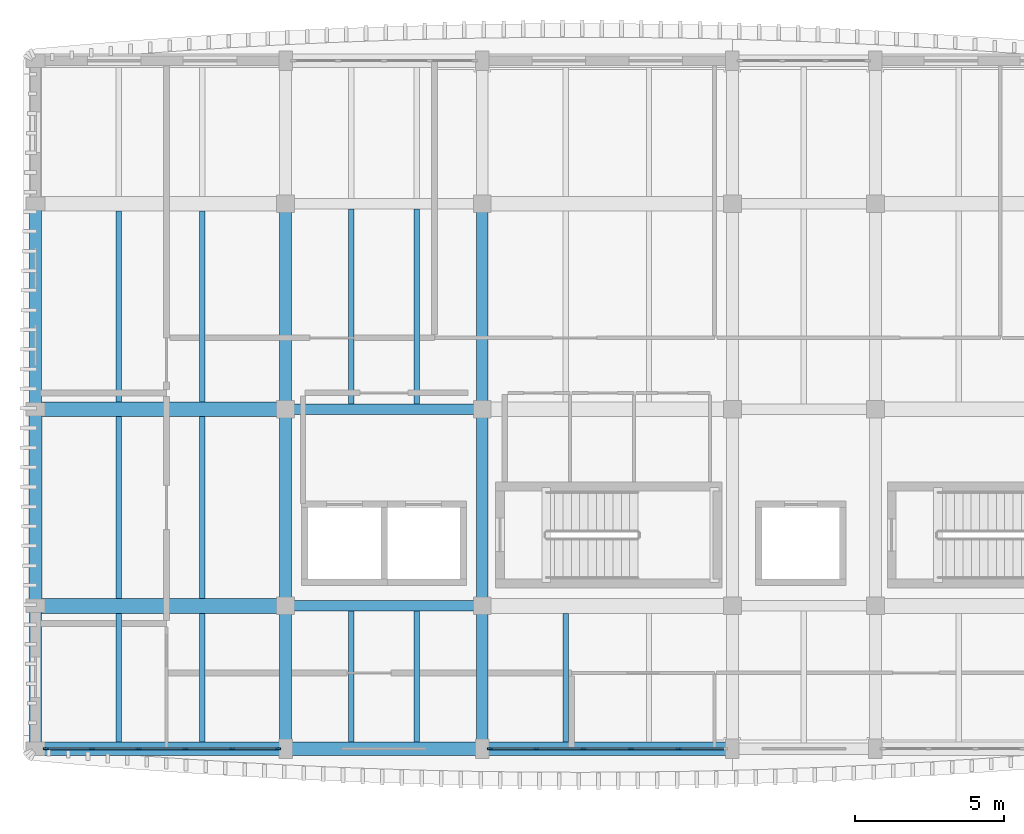
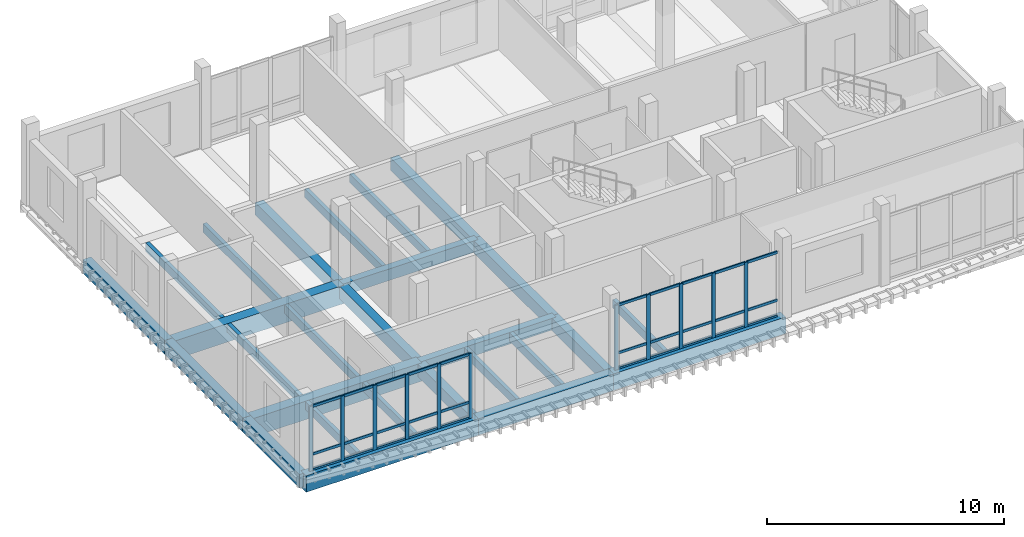
# One storey, part 2 of 16: 41 members, 27 beams, 2 elements without a shape of their own.
"""IFC4 building model written with IfcOpenShell, lengths in metres."""

from ifc_helpers import new_model, si_unit, direction, frame, origin, origin_2d, place, context, subcontext, project, spatial, rectangle, extrude, material, material_profile, profile_set, type_object, element, aggregate, save


model = new_model("IFC4")

# Units and contexts
model_context = context("Model", 3, precision=1e-05, world=origin(), true_north=direction((0.0, 1.0)))
body_context = subcontext(model_context, "Body", "Model", "MODEL_VIEW")
ifc_project = project(units=[si_unit("LENGTHUNIT", "METRE"), si_unit("AREAUNIT", "SQUARE_METRE"), si_unit("VOLUMEUNIT", "CUBIC_METRE"), si_unit("PLANEANGLEUNIT", "RADIAN"), si_unit("MASSUNIT", "GRAM", prefix="KILO")], contexts=[model_context])

# Site, building, storey
site_placement = place(None, origin())
site = spatial("IfcSite", under=ifc_project, at=site_placement, CompositionType="ELEMENT")
building_placement = place(site_placement, origin())
building = spatial("IfcBuilding", under=site, at=building_placement, Name="Dornvale Research Institute", CompositionType="ELEMENT")
storey_placement = place(building_placement, frame((0.0, 0.0, 42.60009765625)))
storey = spatial("IfcBuildingStorey", under=building, at=storey_placement, Name="L09", CompositionType="ELEMENT", Elevation=42.60009765625)

# Beams
ifc_material_1 = material(Name="Concrete f'c 45 MPa (C35/45)", Category="concrete")
ifc_material_profile_1 = material_profile(ifc_material_1, rectangle(XDim=0.35009765625, YDim=0.60009765625, at=origin_2d()), Name="RC 350x600")
ifc_profile_set_1 = profile_set([ifc_material_profile_1], Name="Concrete f'c 45 MPa (C35/45)")
beam_type_1 = type_object("IfcBeamType", Name="Beam_RC350x600_Floor", PredefinedType="BEAM", material=ifc_profile_set_1)
for number, where, z_axis, x_axis, name in (
    (1, (13.199951171875, 103.800048828125, -0.300048828125), (1.0, 0.0, 0.0), (0.0, 1.0, 0.0), "L09 primary girder #1717"),
    (2, (13.199951171875, 110.39990234375, -0.300048828125), (1.0, 0.0, 0.0), (0.0, 1.0, 0.0), "L09 primary girder #1722"),
):
    element("IfcBeam", number, at=place(storey_placement, frame(where, z_axis=z_axis, x_axis=x_axis)), inside=storey, type_object=beam_type_1, Name=name, PredefinedType="BEAM", context=body_context, shape_type="SweptSolid", body=[
        extrude(rectangle(XDim=0.35009765625, YDim=0.60009765625, at=origin_2d()), origin(), (0.0, 0.0, 1.0), 6.60009765625),
    ])
ifc_material_2 = material(Name="Concrete f'c 45 MPa (C35/45)", Category="concrete")
ifc_material_profile_2 = material_profile(ifc_material_2, rectangle(XDim=0.39990234375, YDim=0.64990234375, at=origin_2d()), Name="RC 400x650")
ifc_profile_set_2 = profile_set([ifc_material_profile_2], Name="Concrete f'c 45 MPa (C35/45)")
beam_type_2 = type_object("IfcBeamType", Name="Beam_RC400x650_Floor", PredefinedType="BEAM", material=ifc_profile_set_2)
beam_1_placement = place(storey_placement, frame((13.199951171875, 99.0, -0.3251953125), z_axis=(0.0, 1.0, 0.0), x_axis=(-1.0, 0.0, 0.0)))
element("IfcBeam", 3, at=beam_1_placement, inside=storey, type_object=beam_type_2, Name="L09 transverse girder #1740", PredefinedType="BEAM", context=body_context, shape_type="SweptSolid", body=[
    extrude(rectangle(XDim=0.39990234375, YDim=0.64990234375, at=origin_2d()), origin(), (0.0, 0.0, 1.0), 4.800048828125),
])
beam_2_placement = place(storey_placement, frame((13.199951171875, 103.800048828125, -0.3251953125), z_axis=(0.0, 1.0, 0.0), x_axis=(-1.0, 0.0, 0.0)))
element("IfcBeam", 4, at=beam_2_placement, inside=storey, type_object=beam_type_2, Name="L09 transverse girder #1741", PredefinedType="BEAM", context=body_context, shape_type="SweptSolid", body=[
    extrude(rectangle(XDim=0.39990234375, YDim=0.64990234375, at=origin_2d()), origin(), (0.0, 0.0, 1.0), 6.599853515625),
])
beam_3_placement = place(storey_placement, frame((13.199951171875, 110.39990234375, -0.3251953125), z_axis=(0.0, 1.0, 0.0), x_axis=(-1.0, 0.0, 0.0)))
element("IfcBeam", 5, at=beam_3_placement, inside=storey, type_object=beam_type_2, Name="L09 transverse girder #1742", PredefinedType="BEAM", context=body_context, shape_type="SweptSolid", body=[
    extrude(rectangle(XDim=0.39990234375, YDim=0.64990234375, at=origin_2d()), origin(), (0.0, 0.0, 1.0), 6.900146484375),
])
beam_4_placement = place(storey_placement, frame((19.800048828125, 99.0, -0.3251953125), z_axis=(0.0, 1.0, 0.0), x_axis=(-1.0, 0.0, 0.0)))
element("IfcBeam", 6, at=beam_4_placement, inside=storey, type_object=beam_type_2, Name="L09 transverse girder #1744", PredefinedType="BEAM", context=body_context, shape_type="SweptSolid", body=[
    extrude(rectangle(XDim=0.39990234375, YDim=0.64990234375, at=origin_2d()), origin(), (0.0, 0.0, 1.0), 4.800048828125),
])
beam_5_placement = place(storey_placement, frame((19.800048828125, 103.800048828125, -0.3251953125), z_axis=(0.0, 1.0, 0.0), x_axis=(-1.0, 0.0, 0.0)))
element("IfcBeam", 7, at=beam_5_placement, inside=storey, type_object=beam_type_2, Name="L09 transverse girder #1745", PredefinedType="BEAM", context=body_context, shape_type="SweptSolid", body=[
    extrude(rectangle(XDim=0.39990234375, YDim=0.64990234375, at=origin_2d()), origin(), (0.0, 0.0, 1.0), 6.599853515625),
])
beam_6_placement = place(storey_placement, frame((19.800048828125, 110.39990234375, -0.3251953125), z_axis=(0.0, 1.0, 0.0), x_axis=(-1.0, 0.0, 0.0)))
element("IfcBeam", 8, at=beam_6_placement, inside=storey, type_object=beam_type_2, Name="L09 transverse girder #1746", PredefinedType="BEAM", context=body_context, shape_type="SweptSolid", body=[
    extrude(rectangle(XDim=0.39990234375, YDim=0.64990234375, at=origin_2d()), origin(), (0.0, 0.0, 1.0), 6.900146484375),
])
ifc_material_3 = material(Name="Concrete f'c 45 MPa (C35/45)", Category="concrete")
ifc_material_profile_3 = material_profile(ifc_material_3, rectangle(XDim=0.5, YDim=0.949951171875, at=origin_2d()), Name="RC 500x950")
ifc_profile_set_3 = profile_set([ifc_material_profile_3], Name="Concrete f'c 45 MPa (C35/45)")
beam_type_3 = type_object("IfcBeamType", Name="Beam_RC500x950_Girder", PredefinedType="BEAM", material=ifc_profile_set_3)
for number, where, z_axis, x_axis, name in (
    (9, (4.800048828125, 103.800048828125, -0.47509765625), (1.0, 0.0, 0.0), (0.0, 1.0, 0.0), "L09 primary girder #1716"),
    (10, (4.800048828125, 110.39990234375, -0.47509765625), (1.0, 0.0, 0.0), (0.0, 1.0, 0.0), "L09 primary girder #1721"),
):
    element("IfcBeam", number, at=place(storey_placement, frame(where, z_axis=z_axis, x_axis=x_axis)), inside=storey, type_object=beam_type_3, Name=name, PredefinedType="BEAM", context=body_context, shape_type="SweptSolid", body=[
        extrude(rectangle(XDim=0.5, YDim=0.949951171875, at=origin_2d()), origin(), (0.0, 0.0, 1.0), 8.39990234375),
    ])
ifc_material_4 = material(Name="Concrete f'c 45 MPa (C35/45)", Category="concrete")
ifc_material_profile_4 = material_profile(ifc_material_4, rectangle(XDim=0.179931640625, YDim=0.43505859375, at=origin_2d()), Name="RC 180x435")
ifc_profile_set_4 = profile_set([ifc_material_profile_4], Name="Concrete f'c 45 MPa (C35/45)")
beam_type_4 = type_object("IfcBeamType", Name="Joist_RC180x435_Rib", PredefinedType="JOIST", material=ifc_profile_set_4)
for number, where, z_axis, x_axis, name in (
    (11, (7.60009765625, 99.22509765625, -0.217529296875), (0.0, 1.0, 0.0), (-1.0, 0.0, 0.0), "L09 laboratory waffle joist #821"),
    (12, (10.39990234375, 99.22509765625, -0.217529296875), (0.0, 1.0, 0.0), (-1.0, 0.0, 0.0), "L09 laboratory waffle joist #822"),
):
    element("IfcBeam", number, at=place(storey_placement, frame(where, z_axis=z_axis, x_axis=x_axis)), inside=storey, type_object=beam_type_4, Name=name, PredefinedType="JOIST", context=body_context, shape_type="SweptSolid", body=[
        extrude(rectangle(XDim=0.179931640625, YDim=0.43505859375, at=origin_2d()), origin(), (0.0, 0.0, 1.0), 4.324951171875),
    ])
for number, where, z_axis, x_axis, name in (
    (13, (7.60009765625, 104.050048828125, -0.217529296875), (0.0, 1.0, 0.0), (-1.0, 0.0, 0.0), "L09 laboratory waffle joist #823"),
    (14, (10.39990234375, 104.050048828125, -0.217529296875), (0.0, 1.0, 0.0), (-1.0, 0.0, 0.0), "L09 laboratory waffle joist #824"),
):
    element("IfcBeam", number, at=place(storey_placement, frame(where, z_axis=z_axis, x_axis=x_axis)), inside=storey, type_object=beam_type_4, Name=name, PredefinedType="JOIST", context=body_context, shape_type="SweptSolid", body=[
        extrude(rectangle(XDim=0.179931640625, YDim=0.43505859375, at=origin_2d()), origin(), (0.0, 0.0, 1.0), 6.099853515625),
    ])
for number, where, z_axis, x_axis, name in (
    (15, (7.60009765625, 110.64990234375, -0.217529296875), (0.0, 1.0, 0.0), (-1.0, 0.0, 0.0), "L09 laboratory waffle joist #825"),
    (16, (10.39990234375, 110.64990234375, -0.217529296875), (0.0, 1.0, 0.0), (-1.0, 0.0, 0.0), "L09 laboratory waffle joist #826"),
):
    element("IfcBeam", number, at=place(storey_placement, frame(where, z_axis=z_axis, x_axis=x_axis)), inside=storey, type_object=beam_type_4, Name=name, PredefinedType="JOIST", context=body_context, shape_type="SweptSolid", body=[
        extrude(rectangle(XDim=0.179931640625, YDim=0.43505859375, at=origin_2d()), origin(), (0.0, 0.0, 1.0), 6.400146484375),
    ])
for number, where, z_axis, x_axis, name in (
    (17, (15.39990234375, 99.22509765625, -0.217529296875), (0.0, 1.0, 0.0), (-1.0, 0.0, 0.0), "L09 laboratory waffle joist #829"),
    (18, (17.60009765625, 99.22509765625, -0.217529296875), (0.0, 1.0, 0.0), (-1.0, 0.0, 0.0), "L09 laboratory waffle joist #830"),
):
    element("IfcBeam", number, at=place(storey_placement, frame(where, z_axis=z_axis, x_axis=x_axis)), inside=storey, type_object=beam_type_4, Name=name, PredefinedType="JOIST", context=body_context, shape_type="SweptSolid", body=[
        extrude(rectangle(XDim=0.179931640625, YDim=0.43505859375, at=origin_2d()), origin(), (0.0, 0.0, 1.0), 4.39990234375),
    ])
for number, where, z_axis, x_axis, name in (
    (19, (15.39990234375, 110.574951171875, -0.217529296875), (0.0, 1.0, 0.0), (-1.0, 0.0, 0.0), "L09 laboratory waffle joist #831"),
    (20, (17.60009765625, 110.574951171875, -0.217529296875), (0.0, 1.0, 0.0), (-1.0, 0.0, 0.0), "L09 laboratory waffle joist #832"),
):
    element("IfcBeam", number, at=place(storey_placement, frame(where, z_axis=z_axis, x_axis=x_axis)), inside=storey, type_object=beam_type_4, Name=name, PredefinedType="JOIST", context=body_context, shape_type="SweptSolid", body=[
        extrude(rectangle(XDim=0.179931640625, YDim=0.43505859375, at=origin_2d()), origin(), (0.0, 0.0, 1.0), 6.550048828125),
    ])
beam_7_placement = place(storey_placement, frame((22.60009765625, 99.22509765625, -0.217529296875), z_axis=(0.0, 1.0, 0.0), x_axis=(-1.0, 0.0, 0.0)))
element("IfcBeam", 21, at=beam_7_placement, inside=storey, type_object=beam_type_4, Name="L09 laboratory waffle joist #835", PredefinedType="JOIST", context=body_context, shape_type="SweptSolid", body=[
    extrude(rectangle(XDim=0.179931640625, YDim=0.43505859375, at=origin_2d()), origin(), (0.0, 0.0, 1.0), 4.324951171875),
])

# Curtain wall, members
ifc_material_5 = material(Name="Low-E Argon Double Insulating Glazing Unit", Category="glass")
curtain_wall_type_1 = type_object("IfcCurtainWallType", Name="UnitisedCurtainWall_V5_7950x3350", PredefinedType="USERDEFINED", material=ifc_material_5)
curtain_wall_1_placement = place(storey_placement, origin())
curtain_wall_1 = element("IfcCurtainWall", 22, at=curtain_wall_1_placement, inside=storey, type_object=curtain_wall_type_1, Name="L09 V5 unitised curtain wall CW-38 #200", ObjectType="UNITISED CURTAIN WALL", PredefinedType="USERDEFINED")
ifc_material_6 = material(Name="Anodized Aluminum AA 6063-T6 Thermally Broken Frame", Category="aluminium")
ifc_material_profile_5 = material_profile(ifc_material_6, rectangle(XDim=0.06494140625, YDim=0.179931640625, at=origin_2d()), Name="ALU MULLION 65x180")
ifc_profile_set_5 = profile_set([ifc_material_profile_5], Name="Anodized Aluminum AA 6063-T6 Thermally Broken Frame")
member_type_1 = type_object("IfcMemberType", Name="Mullion_CW_65x180", PredefinedType="MULLION", material=ifc_profile_set_5)
member_1_placement = place(storey_placement, frame((26.385009765625, 99.0, 0.0), z_axis=(0.0, 0.0, 1.0), x_axis=(0.0, -1.0, 0.0)))
member_1 = element("IfcMember", 23, at=member_1_placement, type_object=member_type_1, Name="CW-38 mullion 2", PredefinedType="MULLION", context=body_context, shape_type="SweptSolid", body=[
    extrude(rectangle(XDim=0.06494140625, YDim=0.179931640625, at=origin_2d()), origin(), (0.0, 0.0, 1.0), 3.349853515625),
])
member_2_placement = place(storey_placement, frame((24.794921875, 99.0, 0.0), z_axis=(0.0, 0.0, 1.0), x_axis=(0.0, -1.0, 0.0)))
member_2 = element("IfcMember", 24, at=member_2_placement, type_object=member_type_1, Name="CW-38 mullion 3", PredefinedType="MULLION", context=body_context, shape_type="SweptSolid", body=[
    extrude(rectangle(XDim=0.06494140625, YDim=0.179931640625, at=origin_2d()), origin(), (0.0, 0.0, 1.0), 3.349853515625),
])
member_3_placement = place(storey_placement, frame((23.205078125, 99.0, 0.0), z_axis=(0.0, 0.0, 1.0), x_axis=(0.0, -1.0, 0.0)))
member_3 = element("IfcMember", 25, at=member_3_placement, type_object=member_type_1, Name="CW-38 mullion 4", PredefinedType="MULLION", context=body_context, shape_type="SweptSolid", body=[
    extrude(rectangle(XDim=0.06494140625, YDim=0.179931640625, at=origin_2d()), origin(), (0.0, 0.0, 1.0), 3.349853515625),
])
member_4_placement = place(storey_placement, frame((21.614990234375, 99.0, 0.0), z_axis=(0.0, 0.0, 1.0), x_axis=(0.0, -1.0, 0.0)))
member_4 = element("IfcMember", 26, at=member_4_placement, type_object=member_type_1, Name="CW-38 mullion 5", PredefinedType="MULLION", context=body_context, shape_type="SweptSolid", body=[
    extrude(rectangle(XDim=0.06494140625, YDim=0.179931640625, at=origin_2d()), origin(), (0.0, 0.0, 1.0), 3.349853515625),
])
member_5_placement = place(storey_placement, frame((20.0576171875, 99.0, 0.0), z_axis=(0.0, 0.0, 1.0), x_axis=(0.0, -1.0, 0.0)))
member_5 = element("IfcMember", 27, at=member_5_placement, type_object=member_type_1, Name="CW-38 mullion 6", PredefinedType="MULLION", context=body_context, shape_type="SweptSolid", body=[
    extrude(rectangle(XDim=0.06494140625, YDim=0.179931640625, at=origin_2d()), origin(), (0.0, 0.0, 1.0), 3.349853515625),
])

ifc_material_7 = material(Name="Low-E Argon Double Insulating Glazing Unit", Category="glass")
curtain_wall_type_2 = type_object("IfcCurtainWallType", Name="UnitisedCurtainWall_V5_7850x3350", PredefinedType="USERDEFINED", material=ifc_material_7)
curtain_wall_2_placement = place(storey_placement, origin())
curtain_wall_2 = element("IfcCurtainWall", 28, at=curtain_wall_2_placement, inside=storey, type_object=curtain_wall_type_2, Name="L09 V5 unitised curtain wall CW-37 #201", ObjectType="UNITISED CURTAIN WALL", PredefinedType="USERDEFINED")
member_6_placement = place(storey_placement, frame((12.9423828125, 99.0, 0.0), z_axis=(0.0, 0.0, 1.0), x_axis=(0.0, -1.0, 0.0)))
member_6 = element("IfcMember", 29, at=member_6_placement, type_object=member_type_1, Name="CW-37 mullion 1", PredefinedType="MULLION", context=body_context, shape_type="SweptSolid", body=[
    extrude(rectangle(XDim=0.06494140625, YDim=0.179931640625, at=origin_2d()), origin(), (0.0, 0.0, 1.0), 3.349853515625),
])
member_7_placement = place(storey_placement, frame((11.405029296875, 99.0, 0.0), z_axis=(0.0, 0.0, 1.0), x_axis=(0.0, -1.0, 0.0)))
member_7 = element("IfcMember", 30, at=member_7_placement, type_object=member_type_1, Name="CW-37 mullion 2", PredefinedType="MULLION", context=body_context, shape_type="SweptSolid", body=[
    extrude(rectangle(XDim=0.06494140625, YDim=0.179931640625, at=origin_2d()), origin(), (0.0, 0.0, 1.0), 3.349853515625),
])
member_8_placement = place(storey_placement, frame((9.8349609375, 99.0, 0.0), z_axis=(0.0, 0.0, 1.0), x_axis=(0.0, -1.0, 0.0)))
member_8 = element("IfcMember", 31, at=member_8_placement, type_object=member_type_1, Name="CW-37 mullion 3", PredefinedType="MULLION", context=body_context, shape_type="SweptSolid", body=[
    extrude(rectangle(XDim=0.06494140625, YDim=0.179931640625, at=origin_2d()), origin(), (0.0, 0.0, 1.0), 3.349853515625),
])
member_9_placement = place(storey_placement, frame((8.264892578125, 99.0, 0.0), z_axis=(0.0, 0.0, 1.0), x_axis=(0.0, -1.0, 0.0)))
member_9 = element("IfcMember", 32, at=member_9_placement, type_object=member_type_1, Name="CW-37 mullion 4", PredefinedType="MULLION", context=body_context, shape_type="SweptSolid", body=[
    extrude(rectangle(XDim=0.06494140625, YDim=0.179931640625, at=origin_2d()), origin(), (0.0, 0.0, 1.0), 3.349853515625),
])
member_10_placement = place(storey_placement, frame((6.695068359375, 99.0, 0.0), z_axis=(0.0, 0.0, 1.0), x_axis=(0.0, -1.0, 0.0)))
member_10 = element("IfcMember", 33, at=member_10_placement, type_object=member_type_1, Name="CW-37 mullion 5", PredefinedType="MULLION", context=body_context, shape_type="SweptSolid", body=[
    extrude(rectangle(XDim=0.06494140625, YDim=0.179931640625, at=origin_2d()), origin(), (0.0, 0.0, 1.0), 3.349853515625),
])
member_11_placement = place(storey_placement, frame((5.157470703125, 99.0, 0.0), z_axis=(0.0, 0.0, 1.0), x_axis=(0.0, -1.0, 0.0)))
member_11 = element("IfcMember", 34, at=member_11_placement, type_object=member_type_1, Name="CW-37 mullion 6", PredefinedType="MULLION", context=body_context, shape_type="SweptSolid", body=[
    extrude(rectangle(XDim=0.06494140625, YDim=0.179931640625, at=origin_2d()), origin(), (0.0, 0.0, 1.0), 3.349853515625),
])

# Beams
ifc_material_8 = material(Name="Concrete f'c 45 MPa (C35/45)", Category="concrete")
ifc_material_profile_6 = material_profile(ifc_material_8, rectangle(XDim=0.39990234375, YDim=0.699951171875, at=origin_2d()), Name="RC 400x700")
ifc_profile_set_6 = profile_set([ifc_material_profile_6], Name="Concrete f'c 45 MPa (C35/45)")
beam_type_5 = type_object("IfcBeamType", Name="Spandrel_RC400x700_Ext", PredefinedType="SPANDREL", material=ifc_profile_set_6)
beam_8_placement = place(storey_placement, frame((4.800048828125, 99.0, -0.35009765625), z_axis=(0.0, 1.0, 0.0), x_axis=(-1.0, 0.0, 0.0)))
element("IfcBeam", 35, at=beam_8_placement, inside=storey, type_object=beam_type_5, Name="L09 perimeter spandrel #1736", PredefinedType="SPANDREL", context=body_context, shape_type="SweptSolid", body=[
    extrude(rectangle(XDim=0.39990234375, YDim=0.699951171875, at=origin_2d()), origin(), (0.0, 0.0, 1.0), 4.800048828125),
])
beam_9_placement = place(storey_placement, frame((4.800048828125, 103.800048828125, -0.35009765625), z_axis=(0.0, 1.0, 0.0), x_axis=(-1.0, 0.0, 0.0)))
element("IfcBeam", 36, at=beam_9_placement, inside=storey, type_object=beam_type_5, Name="L09 perimeter spandrel #1737", PredefinedType="SPANDREL", context=body_context, shape_type="SweptSolid", body=[
    extrude(rectangle(XDim=0.39990234375, YDim=0.699951171875, at=origin_2d()), origin(), (0.0, 0.0, 1.0), 6.599853515625),
])
beam_10_placement = place(storey_placement, frame((4.800048828125, 110.39990234375, -0.35009765625), z_axis=(0.0, 1.0, 0.0), x_axis=(-1.0, 0.0, 0.0)))
element("IfcBeam", 37, at=beam_10_placement, inside=storey, type_object=beam_type_5, Name="L09 perimeter spandrel #1738", PredefinedType="SPANDREL", context=body_context, shape_type="SweptSolid", body=[
    extrude(rectangle(XDim=0.39990234375, YDim=0.699951171875, at=origin_2d()), origin(), (0.0, 0.0, 1.0), 6.900146484375),
])
ifc_material_9 = material(Name="Concrete f'c 45 MPa (C35/45)", Category="concrete")
ifc_material_profile_7 = material_profile(ifc_material_9, rectangle(XDim=0.449951171875, YDim=0.85009765625, at=origin_2d()), Name="RC 450x850")
ifc_profile_set_7 = profile_set([ifc_material_profile_7], Name="Concrete f'c 45 MPa (C35/45)")
beam_type_6 = type_object("IfcBeamType", Name="Spandrel_RC450x850_Ext", PredefinedType="SPANDREL", material=ifc_profile_set_7)
beam_11_placement = place(storey_placement, frame((4.800048828125, 99.0, -0.425048828125), z_axis=(1.0, 0.0, 0.0), x_axis=(0.0, 1.0, 0.0)))
element("IfcBeam", 38, at=beam_11_placement, inside=storey, type_object=beam_type_6, Name="L09 perimeter spandrel #1711", PredefinedType="SPANDREL", context=body_context, shape_type="SweptSolid", body=[
    extrude(rectangle(XDim=0.449951171875, YDim=0.85009765625, at=origin_2d()), origin(), (0.0, 0.0, 1.0), 8.39990234375),
])
beam_12_placement = place(storey_placement, frame((13.199951171875, 99.0, -0.425048828125), z_axis=(1.0, 0.0, 0.0), x_axis=(0.0, 1.0, 0.0)))
element("IfcBeam", 39, at=beam_12_placement, inside=storey, type_object=beam_type_6, Name="L09 perimeter spandrel #1712", PredefinedType="SPANDREL", context=body_context, shape_type="SweptSolid", body=[
    extrude(rectangle(XDim=0.449951171875, YDim=0.85009765625, at=origin_2d()), origin(), (0.0, 0.0, 1.0), 6.60009765625),
])
beam_13_placement = place(storey_placement, frame((19.800048828125, 99.0, -0.425048828125), z_axis=(1.0, 0.0, 0.0), x_axis=(0.0, 1.0, 0.0)))
element("IfcBeam", 40, at=beam_13_placement, inside=storey, type_object=beam_type_6, Name="L09 perimeter spandrel #1713", PredefinedType="SPANDREL", context=body_context, shape_type="SweptSolid", body=[
    extrude(rectangle(XDim=0.449951171875, YDim=0.85009765625, at=origin_2d()), origin(), (0.0, 0.0, 1.0), 8.39990234375),
])

# Member
ifc_material_10 = material(Name="Anodized Aluminum AA 6063-T6 Thermally Broken Frame", Category="aluminium")
ifc_material_profile_8 = material_profile(ifc_material_10, rectangle(XDim=0.06494140625, YDim=0.135009765625, at=origin_2d()), Name="ALU TRANSOM 65x135")
ifc_profile_set_8 = profile_set([ifc_material_profile_8], Name="Anodized Aluminum AA 6063-T6 Thermally Broken Frame")
member_type_2 = type_object("IfcMemberType", Name="Transom_CW_65x135", PredefinedType="USERDEFINED", material=ifc_profile_set_8)
member_12_placement = place(storey_placement, frame((27.909912109375, 99.0, 0.032470703125), z_axis=(-1.0, 0.0, 0.0), x_axis=(0.0, -1.0, 0.0)))
member_12 = element("IfcMember", 41, at=member_12_placement, type_object=member_type_2, Name="CW-38 transom 1.1", ObjectType="TRANSOM", PredefinedType="USERDEFINED", context=body_context, shape_type="SweptSolid", body=[
    extrude(rectangle(XDim=0.06494140625, YDim=0.135009765625, at=origin_2d()), origin(), (0.0, 0.0, 1.0), 1.492431640625),
])

member_13_placement = place(storey_placement, frame((27.909912109375, 99.0, 0.849853515625), z_axis=(-1.0, 0.0, 0.0), x_axis=(0.0, -1.0, 0.0)))
member_13 = element("IfcMember", 42, at=member_13_placement, type_object=member_type_2, Name="CW-38 transom 1.2", ObjectType="TRANSOM", PredefinedType="USERDEFINED", context=body_context, shape_type="SweptSolid", body=[
    extrude(rectangle(XDim=0.06494140625, YDim=0.135009765625, at=origin_2d()), origin(), (0.0, 0.0, 1.0), 1.492431640625),
])

member_14_placement = place(storey_placement, frame((27.909912109375, 99.0, 3.3173828125), z_axis=(-1.0, 0.0, 0.0), x_axis=(0.0, -1.0, 0.0)))
member_14 = element("IfcMember", 43, at=member_14_placement, type_object=member_type_2, Name="CW-38 transom 1.3", ObjectType="TRANSOM", PredefinedType="USERDEFINED", context=body_context, shape_type="SweptSolid", body=[
    extrude(rectangle(XDim=0.06494140625, YDim=0.135009765625, at=origin_2d()), origin(), (0.0, 0.0, 1.0), 1.492431640625),
])

member_15_placement = place(storey_placement, frame((26.3525390625, 99.0, 0.032470703125), z_axis=(-1.0, 0.0, 0.0), x_axis=(0.0, -1.0, 0.0)))
member_15 = element("IfcMember", 44, at=member_15_placement, type_object=member_type_2, Name="CW-38 transom 2.1", ObjectType="TRANSOM", PredefinedType="USERDEFINED", context=body_context, shape_type="SweptSolid", body=[
    extrude(rectangle(XDim=0.06494140625, YDim=0.135009765625, at=origin_2d()), origin(), (0.0, 0.0, 1.0), 1.525146484375),
])

member_16_placement = place(storey_placement, frame((26.3525390625, 99.0, 0.849853515625), z_axis=(-1.0, 0.0, 0.0), x_axis=(0.0, -1.0, 0.0)))
member_16 = element("IfcMember", 45, at=member_16_placement, type_object=member_type_2, Name="CW-38 transom 2.2", ObjectType="TRANSOM", PredefinedType="USERDEFINED", context=body_context, shape_type="SweptSolid", body=[
    extrude(rectangle(XDim=0.06494140625, YDim=0.135009765625, at=origin_2d()), origin(), (0.0, 0.0, 1.0), 1.525146484375),
])

member_17_placement = place(storey_placement, frame((26.3525390625, 99.0, 3.3173828125), z_axis=(-1.0, 0.0, 0.0), x_axis=(0.0, -1.0, 0.0)))
member_17 = element("IfcMember", 46, at=member_17_placement, type_object=member_type_2, Name="CW-38 transom 2.3", ObjectType="TRANSOM", PredefinedType="USERDEFINED", context=body_context, shape_type="SweptSolid", body=[
    extrude(rectangle(XDim=0.06494140625, YDim=0.135009765625, at=origin_2d()), origin(), (0.0, 0.0, 1.0), 1.525146484375),
])

member_18_placement = place(storey_placement, frame((24.762451171875, 99.0, 0.032470703125), z_axis=(-1.0, 0.0, 0.0), x_axis=(0.0, -1.0, 0.0)))
member_18 = element("IfcMember", 47, at=member_18_placement, type_object=member_type_2, Name="CW-38 transom 3.1", ObjectType="TRANSOM", PredefinedType="USERDEFINED", context=body_context, shape_type="SweptSolid", body=[
    extrude(rectangle(XDim=0.06494140625, YDim=0.135009765625, at=origin_2d()), origin(), (0.0, 0.0, 1.0), 1.52490234375),
])

member_19_placement = place(storey_placement, frame((24.762451171875, 99.0, 0.849853515625), z_axis=(-1.0, 0.0, 0.0), x_axis=(0.0, -1.0, 0.0)))
member_19 = element("IfcMember", 48, at=member_19_placement, type_object=member_type_2, Name="CW-38 transom 3.2", ObjectType="TRANSOM", PredefinedType="USERDEFINED", context=body_context, shape_type="SweptSolid", body=[
    extrude(rectangle(XDim=0.06494140625, YDim=0.135009765625, at=origin_2d()), origin(), (0.0, 0.0, 1.0), 1.52490234375),
])

member_20_placement = place(storey_placement, frame((24.762451171875, 99.0, 3.3173828125), z_axis=(-1.0, 0.0, 0.0), x_axis=(0.0, -1.0, 0.0)))
member_20 = element("IfcMember", 49, at=member_20_placement, type_object=member_type_2, Name="CW-38 transom 3.3", ObjectType="TRANSOM", PredefinedType="USERDEFINED", context=body_context, shape_type="SweptSolid", body=[
    extrude(rectangle(XDim=0.06494140625, YDim=0.135009765625, at=origin_2d()), origin(), (0.0, 0.0, 1.0), 1.52490234375),
])

member_21_placement = place(storey_placement, frame((23.172607421875, 99.0, 0.032470703125), z_axis=(-1.0, 0.0, 0.0), x_axis=(0.0, -1.0, 0.0)))
member_21 = element("IfcMember", 50, at=member_21_placement, type_object=member_type_2, Name="CW-38 transom 4.1", ObjectType="TRANSOM", PredefinedType="USERDEFINED", context=body_context, shape_type="SweptSolid", body=[
    extrude(rectangle(XDim=0.06494140625, YDim=0.135009765625, at=origin_2d()), origin(), (0.0, 0.0, 1.0), 1.525146484375),
])

member_22_placement = place(storey_placement, frame((23.172607421875, 99.0, 0.849853515625), z_axis=(-1.0, 0.0, 0.0), x_axis=(0.0, -1.0, 0.0)))
member_22 = element("IfcMember", 51, at=member_22_placement, type_object=member_type_2, Name="CW-38 transom 4.2", ObjectType="TRANSOM", PredefinedType="USERDEFINED", context=body_context, shape_type="SweptSolid", body=[
    extrude(rectangle(XDim=0.06494140625, YDim=0.135009765625, at=origin_2d()), origin(), (0.0, 0.0, 1.0), 1.525146484375),
])

member_23_placement = place(storey_placement, frame((23.172607421875, 99.0, 3.3173828125), z_axis=(-1.0, 0.0, 0.0), x_axis=(0.0, -1.0, 0.0)))
member_23 = element("IfcMember", 52, at=member_23_placement, type_object=member_type_2, Name="CW-38 transom 4.3", ObjectType="TRANSOM", PredefinedType="USERDEFINED", context=body_context, shape_type="SweptSolid", body=[
    extrude(rectangle(XDim=0.06494140625, YDim=0.135009765625, at=origin_2d()), origin(), (0.0, 0.0, 1.0), 1.525146484375),
])

member_24_placement = place(storey_placement, frame((21.58251953125, 99.0, 0.032470703125), z_axis=(-1.0, 0.0, 0.0), x_axis=(0.0, -1.0, 0.0)))
member_24 = element("IfcMember", 53, at=member_24_placement, type_object=member_type_2, Name="CW-38 transom 5.1", ObjectType="TRANSOM", PredefinedType="USERDEFINED", context=body_context, shape_type="SweptSolid", body=[
    extrude(rectangle(XDim=0.06494140625, YDim=0.135009765625, at=origin_2d()), origin(), (0.0, 0.0, 1.0), 1.492431640625),
])

member_25_placement = place(storey_placement, frame((21.58251953125, 99.0, 0.849853515625), z_axis=(-1.0, 0.0, 0.0), x_axis=(0.0, -1.0, 0.0)))
member_25 = element("IfcMember", 54, at=member_25_placement, type_object=member_type_2, Name="CW-38 transom 5.2", ObjectType="TRANSOM", PredefinedType="USERDEFINED", context=body_context, shape_type="SweptSolid", body=[
    extrude(rectangle(XDim=0.06494140625, YDim=0.135009765625, at=origin_2d()), origin(), (0.0, 0.0, 1.0), 1.492431640625),
])

member_26_placement = place(storey_placement, frame((21.58251953125, 99.0, 3.3173828125), z_axis=(-1.0, 0.0, 0.0), x_axis=(0.0, -1.0, 0.0)))
member_26 = element("IfcMember", 55, at=member_26_placement, type_object=member_type_2, Name="CW-38 transom 5.3", ObjectType="TRANSOM", PredefinedType="USERDEFINED", context=body_context, shape_type="SweptSolid", body=[
    extrude(rectangle(XDim=0.06494140625, YDim=0.135009765625, at=origin_2d()), origin(), (0.0, 0.0, 1.0), 1.492431640625),
])

aggregate(curtain_wall_1, [member_1, member_2, member_3, member_4, member_5, member_12, member_13, member_14, member_15, member_16, member_17, member_18, member_19, member_20, member_21, member_22, member_23, member_24, member_25, member_26])

member_27_placement = place(storey_placement, frame((12.909912109375, 99.0, 0.032470703125), z_axis=(-1.0, 0.0, 0.0), x_axis=(0.0, -1.0, 0.0)))
member_27 = element("IfcMember", 56, at=member_27_placement, type_object=member_type_2, Name="CW-37 transom 1.1", ObjectType="TRANSOM", PredefinedType="USERDEFINED", context=body_context, shape_type="SweptSolid", body=[
    extrude(rectangle(XDim=0.06494140625, YDim=0.135009765625, at=origin_2d()), origin(), (0.0, 0.0, 1.0), 1.472412109375),
])

member_28_placement = place(storey_placement, frame((12.909912109375, 99.0, 0.849853515625), z_axis=(-1.0, 0.0, 0.0), x_axis=(0.0, -1.0, 0.0)))
member_28 = element("IfcMember", 57, at=member_28_placement, type_object=member_type_2, Name="CW-37 transom 1.2", ObjectType="TRANSOM", PredefinedType="USERDEFINED", context=body_context, shape_type="SweptSolid", body=[
    extrude(rectangle(XDim=0.06494140625, YDim=0.135009765625, at=origin_2d()), origin(), (0.0, 0.0, 1.0), 1.472412109375),
])

member_29_placement = place(storey_placement, frame((12.909912109375, 99.0, 3.3173828125), z_axis=(-1.0, 0.0, 0.0), x_axis=(0.0, -1.0, 0.0)))
member_29 = element("IfcMember", 58, at=member_29_placement, type_object=member_type_2, Name="CW-37 transom 1.3", ObjectType="TRANSOM", PredefinedType="USERDEFINED", context=body_context, shape_type="SweptSolid", body=[
    extrude(rectangle(XDim=0.06494140625, YDim=0.135009765625, at=origin_2d()), origin(), (0.0, 0.0, 1.0), 1.472412109375),
])

member_30_placement = place(storey_placement, frame((11.37255859375, 99.0, 0.032470703125), z_axis=(-1.0, 0.0, 0.0), x_axis=(0.0, -1.0, 0.0)))
member_30 = element("IfcMember", 59, at=member_30_placement, type_object=member_type_2, Name="CW-37 transom 2.1", ObjectType="TRANSOM", PredefinedType="USERDEFINED", context=body_context, shape_type="SweptSolid", body=[
    extrude(rectangle(XDim=0.06494140625, YDim=0.135009765625, at=origin_2d()), origin(), (0.0, 0.0, 1.0), 1.505126953125),
])

member_31_placement = place(storey_placement, frame((11.37255859375, 99.0, 0.849853515625), z_axis=(-1.0, 0.0, 0.0), x_axis=(0.0, -1.0, 0.0)))
member_31 = element("IfcMember", 60, at=member_31_placement, type_object=member_type_2, Name="CW-37 transom 2.2", ObjectType="TRANSOM", PredefinedType="USERDEFINED", context=body_context, shape_type="SweptSolid", body=[
    extrude(rectangle(XDim=0.06494140625, YDim=0.135009765625, at=origin_2d()), origin(), (0.0, 0.0, 1.0), 1.505126953125),
])

member_32_placement = place(storey_placement, frame((11.37255859375, 99.0, 3.3173828125), z_axis=(-1.0, 0.0, 0.0), x_axis=(0.0, -1.0, 0.0)))
member_32 = element("IfcMember", 61, at=member_32_placement, type_object=member_type_2, Name="CW-37 transom 2.3", ObjectType="TRANSOM", PredefinedType="USERDEFINED", context=body_context, shape_type="SweptSolid", body=[
    extrude(rectangle(XDim=0.06494140625, YDim=0.135009765625, at=origin_2d()), origin(), (0.0, 0.0, 1.0), 1.505126953125),
])

member_33_placement = place(storey_placement, frame((9.802490234375, 99.0, 0.032470703125), z_axis=(-1.0, 0.0, 0.0), x_axis=(0.0, -1.0, 0.0)))
member_33 = element("IfcMember", 62, at=member_33_placement, type_object=member_type_2, Name="CW-37 transom 3.1", ObjectType="TRANSOM", PredefinedType="USERDEFINED", context=body_context, shape_type="SweptSolid", body=[
    extrude(rectangle(XDim=0.06494140625, YDim=0.135009765625, at=origin_2d()), origin(), (0.0, 0.0, 1.0), 1.5048828125),
])

member_34_placement = place(storey_placement, frame((9.802490234375, 99.0, 0.849853515625), z_axis=(-1.0, 0.0, 0.0), x_axis=(0.0, -1.0, 0.0)))
member_34 = element("IfcMember", 63, at=member_34_placement, type_object=member_type_2, Name="CW-37 transom 3.2", ObjectType="TRANSOM", PredefinedType="USERDEFINED", context=body_context, shape_type="SweptSolid", body=[
    extrude(rectangle(XDim=0.06494140625, YDim=0.135009765625, at=origin_2d()), origin(), (0.0, 0.0, 1.0), 1.5048828125),
])

member_35_placement = place(storey_placement, frame((9.802490234375, 99.0, 3.3173828125), z_axis=(-1.0, 0.0, 0.0), x_axis=(0.0, -1.0, 0.0)))
member_35 = element("IfcMember", 64, at=member_35_placement, type_object=member_type_2, Name="CW-37 transom 3.3", ObjectType="TRANSOM", PredefinedType="USERDEFINED", context=body_context, shape_type="SweptSolid", body=[
    extrude(rectangle(XDim=0.06494140625, YDim=0.135009765625, at=origin_2d()), origin(), (0.0, 0.0, 1.0), 1.5048828125),
])

member_36_placement = place(storey_placement, frame((8.232421875, 99.0, 0.032470703125), z_axis=(-1.0, 0.0, 0.0), x_axis=(0.0, -1.0, 0.0)))
member_36 = element("IfcMember", 65, at=member_36_placement, type_object=member_type_2, Name="CW-37 transom 4.1", ObjectType="TRANSOM", PredefinedType="USERDEFINED", context=body_context, shape_type="SweptSolid", body=[
    extrude(rectangle(XDim=0.06494140625, YDim=0.135009765625, at=origin_2d()), origin(), (0.0, 0.0, 1.0), 1.5048828125),
])

member_37_placement = place(storey_placement, frame((8.232421875, 99.0, 0.849853515625), z_axis=(-1.0, 0.0, 0.0), x_axis=(0.0, -1.0, 0.0)))
member_37 = element("IfcMember", 66, at=member_37_placement, type_object=member_type_2, Name="CW-37 transom 4.2", ObjectType="TRANSOM", PredefinedType="USERDEFINED", context=body_context, shape_type="SweptSolid", body=[
    extrude(rectangle(XDim=0.06494140625, YDim=0.135009765625, at=origin_2d()), origin(), (0.0, 0.0, 1.0), 1.5048828125),
])

member_38_placement = place(storey_placement, frame((8.232421875, 99.0, 3.3173828125), z_axis=(-1.0, 0.0, 0.0), x_axis=(0.0, -1.0, 0.0)))
member_38 = element("IfcMember", 67, at=member_38_placement, type_object=member_type_2, Name="CW-37 transom 4.3", ObjectType="TRANSOM", PredefinedType="USERDEFINED", context=body_context, shape_type="SweptSolid", body=[
    extrude(rectangle(XDim=0.06494140625, YDim=0.135009765625, at=origin_2d()), origin(), (0.0, 0.0, 1.0), 1.5048828125),
])

member_39_placement = place(storey_placement, frame((6.66259765625, 99.0, 0.032470703125), z_axis=(-1.0, 0.0, 0.0), x_axis=(0.0, -1.0, 0.0)))
member_39 = element("IfcMember", 68, at=member_39_placement, type_object=member_type_2, Name="CW-37 transom 5.1", ObjectType="TRANSOM", PredefinedType="USERDEFINED", context=body_context, shape_type="SweptSolid", body=[
    extrude(rectangle(XDim=0.06494140625, YDim=0.135009765625, at=origin_2d()), origin(), (0.0, 0.0, 1.0), 1.47265625),
])

member_40_placement = place(storey_placement, frame((6.66259765625, 99.0, 0.849853515625), z_axis=(-1.0, 0.0, 0.0), x_axis=(0.0, -1.0, 0.0)))
member_40 = element("IfcMember", 69, at=member_40_placement, type_object=member_type_2, Name="CW-37 transom 5.2", ObjectType="TRANSOM", PredefinedType="USERDEFINED", context=body_context, shape_type="SweptSolid", body=[
    extrude(rectangle(XDim=0.06494140625, YDim=0.135009765625, at=origin_2d()), origin(), (0.0, 0.0, 1.0), 1.47265625),
])

member_41_placement = place(storey_placement, frame((6.66259765625, 99.0, 3.3173828125), z_axis=(-1.0, 0.0, 0.0), x_axis=(0.0, -1.0, 0.0)))
member_41 = element("IfcMember", 70, at=member_41_placement, type_object=member_type_2, Name="CW-37 transom 5.3", ObjectType="TRANSOM", PredefinedType="USERDEFINED", context=body_context, shape_type="SweptSolid", body=[
    extrude(rectangle(XDim=0.06494140625, YDim=0.135009765625, at=origin_2d()), origin(), (0.0, 0.0, 1.0), 1.47265625),
])

aggregate(curtain_wall_2, [member_6, member_7, member_8, member_9, member_10, member_11, member_27, member_28, member_29, member_30, member_31, member_32, member_33, member_34, member_35, member_36, member_37, member_38, member_39, member_40, member_41])

save(model, "model.ifc")
